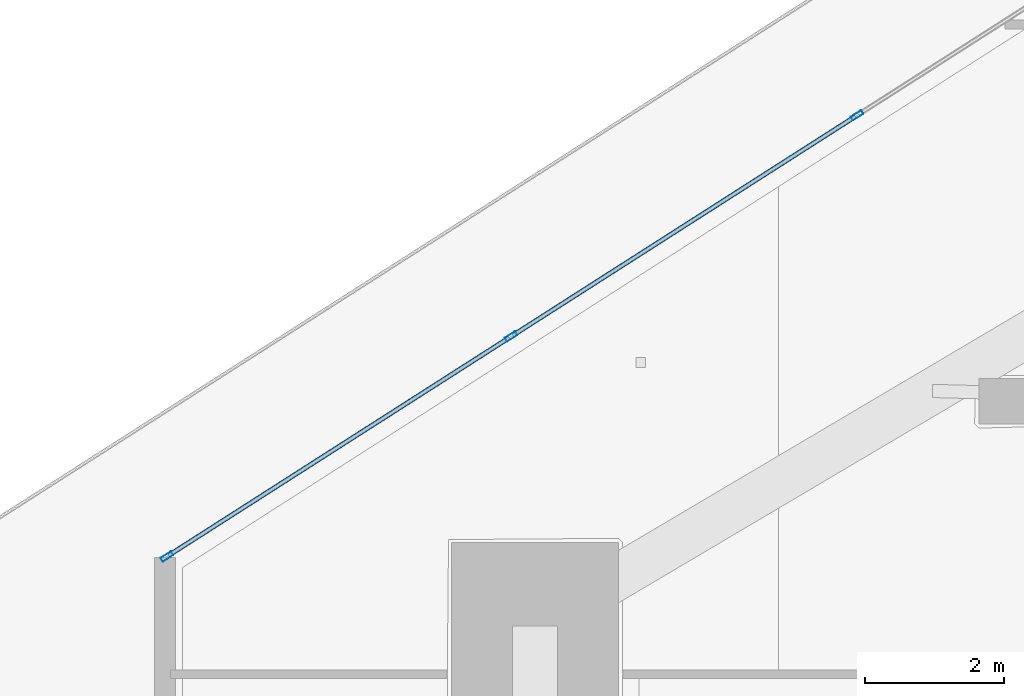
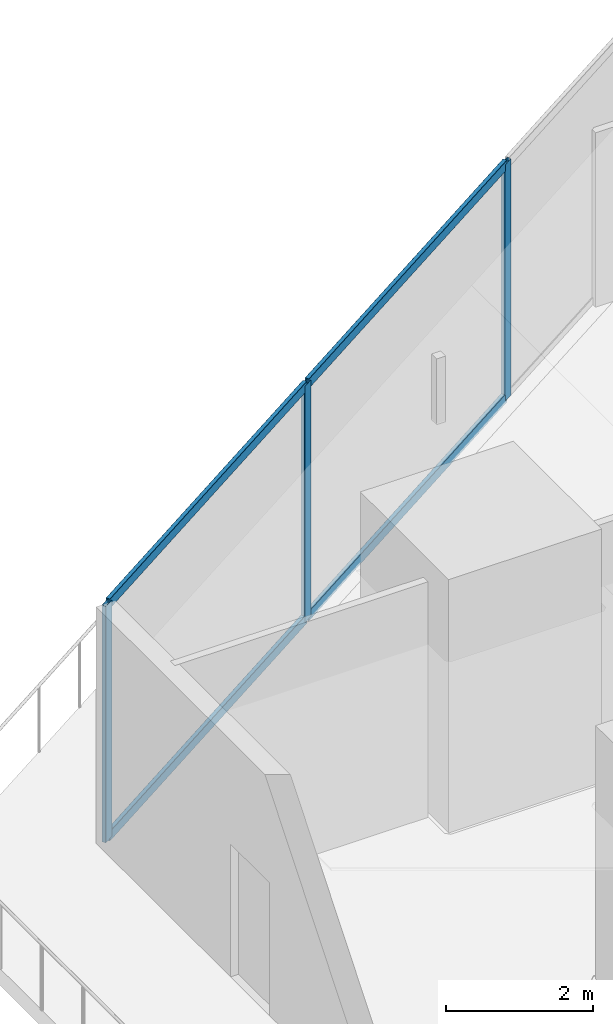
# One storey, part 12 of 44: 7 members, 1 element without a shape of its own.
"""IFC4 building model written with IfcOpenShell, lengths in metres."""

from ifc_helpers import new_model, si_unit, direction, frame, origin, origin_2d, place, context, subcontext, project, spatial, hollow_rectangle, extrude, material, layer, layer_set, material_profile, profile_set, type_object, element, aggregate, save


model = new_model("IFC4")

# Units and contexts
model_context = context("Model", 3, precision=1e-05, world=origin(), true_north=direction((0.0, 1.0)))
body_context = subcontext(model_context, "Body", "Model", "MODEL_VIEW")
ifc_project = project(units=[si_unit("LENGTHUNIT", "METRE"), si_unit("AREAUNIT", "SQUARE_METRE"), si_unit("VOLUMEUNIT", "CUBIC_METRE"), si_unit("PLANEANGLEUNIT", "RADIAN"), si_unit("MASSUNIT", "GRAM", prefix="KILO")], contexts=[model_context])

# Site, building, storey
site_placement = place(None, origin())
site = spatial("IfcSite", under=ifc_project, at=site_placement, CompositionType="ELEMENT")
building_placement = place(site_placement, origin())
building = spatial("IfcBuilding", under=site, at=building_placement, Name="Qorvath Tower", CompositionType="ELEMENT")
storey_placement = place(building_placement, frame((0.0, 0.0, 53.39990234375)))
storey = spatial("IfcBuildingStorey", under=building, at=storey_placement, Name="L11", CompositionType="ELEMENT", Elevation=53.39990234375)

# Curtain wall, members
ifc_material_1 = material(Name="Anodised aluminium and triple low-E glass", Category="aluminium")
ifc_layer = layer(ifc_material_1, 0.179931640625)
ifc_layer_set = layer_set([ifc_layer], Name="CW-SYS-2")
curtain_wall_type = type_object("IfcCurtainWallType", Name="CW-SYS-2", PredefinedType="NOTDEFINED", material=ifc_layer_set)
curtain_wall_placement = place(storey_placement, origin())
curtain_wall = element("IfcCurtainWall", 1, at=curtain_wall_placement, inside=storey, type_object=curtain_wall_type, Name="Curtain Wall CW-2 CW-T-L11-16.3", PredefinedType="NOTDEFINED")
ifc_material_2 = material(Name="Anodised aluminium 6063-T6", Category="aluminium")
ifc_material_profile_1 = material_profile(ifc_material_2, hollow_rectangle(XDim=0.06494140625, YDim=0.179931640625, WallThickness=0.00341796875, InnerFilletRadius=0.00341796875, OuterFilletRadius=0.007080078125, at=origin_2d()), Name="CWM 180x65")
ifc_profile_set_1 = profile_set([ifc_material_profile_1], Name="Anodised aluminium 6063-T6")
member_type_1 = type_object("IfcMemberType", Name="CWM-180", PredefinedType="MULLION", material=ifc_profile_set_1)
member_1_placement = place(storey_placement, frame((-50.65185546875, 10.534912109375, 0.0), z_axis=(0.0, 0.0, 1.0), x_axis=(0.538531853978, -0.842605152044, 0.0)))
member_1 = element("IfcMember", 2, at=member_1_placement, type_object=member_type_1, Name="CW-2 mullion 3", PredefinedType="MULLION", context=body_context, shape_type="SweptSolid", body=[
    extrude(hollow_rectangle(XDim=0.06494140625, YDim=0.179931640625, WallThickness=0.00341796875, InnerFilletRadius=0.00341796875, OuterFilletRadius=0.007080078125, at=origin_2d()), origin(), (0.0, 0.0, 1.0), 3.920166015625),
])
member_2_placement = place(storey_placement, frame((-55.62646484375, 7.35546875, 0.0), z_axis=(0.0, 0.0, 1.0), x_axis=(0.538531853978, -0.842605152044, 0.0)))
member_2 = element("IfcMember", 3, at=member_2_placement, type_object=member_type_1, Name="CW-2 mullion 4", PredefinedType="MULLION", context=body_context, shape_type="SweptSolid", body=[
    extrude(hollow_rectangle(XDim=0.06494140625, YDim=0.179931640625, WallThickness=0.00341796875, InnerFilletRadius=0.00341796875, OuterFilletRadius=0.007080078125, at=origin_2d()), origin(), (0.0, 0.0, 1.0), 3.920166015625),
])
member_3_placement = place(storey_placement, frame((-60.57373046875, 4.193603515625, 0.0), z_axis=(0.0, 0.0, 1.0), x_axis=(0.538531853978, -0.842605152044, 0.0)))
member_3 = element("IfcMember", 4, at=member_3_placement, type_object=member_type_1, Name="CW-2 mullion 5", PredefinedType="MULLION", context=body_context, shape_type="SweptSolid", body=[
    extrude(hollow_rectangle(XDim=0.06494140625, YDim=0.179931640625, WallThickness=0.00341796875, InnerFilletRadius=0.00341796875, OuterFilletRadius=0.007080078125, at=origin_2d()), origin(), (0.0, 0.0, 1.0), 3.920166015625),
])
ifc_material_3 = material(Name="Anodised aluminium 6063-T6", Category="aluminium")
ifc_material_profile_2 = material_profile(ifc_material_3, hollow_rectangle(XDim=0.06494140625, YDim=0.159912109375, WallThickness=0.00341796875, InnerFilletRadius=0.00341796875, OuterFilletRadius=0.007080078125, at=origin_2d()), Name="CWT 160x65")
ifc_profile_set_2 = profile_set([ifc_material_profile_2], Name="Anodised aluminium 6063-T6")
member_type_2 = type_object("IfcMemberType", Name="CWT-160", PredefinedType="USERDEFINED", material=ifc_profile_set_2)
member_4_placement = place(storey_placement, frame((-50.67919921875, 10.517333984375, 0.032470703125), z_axis=(-0.842618260885, -0.538511342891, 0.0), x_axis=(0.538511342891, -0.842618260885, 0.0)))
member_4 = element("IfcMember", 5, at=member_4_placement, type_object=member_type_2, Name="CW-2 transom 3.1", ObjectType="TRANSOM", PredefinedType="USERDEFINED", context=body_context, shape_type="SweptSolid", body=[
    extrude(hollow_rectangle(XDim=0.06494140625, YDim=0.159912109375, WallThickness=0.00341796875, InnerFilletRadius=0.00341796875, OuterFilletRadius=0.007080078125, at=origin_2d()), origin(), (0.0, 0.0, 1.0), 5.8388671875),
])
member_5_placement = place(storey_placement, frame((-50.67919921875, 10.517333984375, 3.8876953125), z_axis=(-0.842618260885, -0.538511342891, 0.0), x_axis=(0.538511342891, -0.842618260885, 0.0)))
member_5 = element("IfcMember", 6, at=member_5_placement, type_object=member_type_2, Name="CW-2 transom 3.2", ObjectType="TRANSOM", PredefinedType="USERDEFINED", context=body_context, shape_type="SweptSolid", body=[
    extrude(hollow_rectangle(XDim=0.06494140625, YDim=0.159912109375, WallThickness=0.00341796875, InnerFilletRadius=0.00341796875, OuterFilletRadius=0.007080078125, at=origin_2d()), origin(), (0.0, 0.0, 1.0), 5.8388671875),
])
member_6_placement = place(storey_placement, frame((-55.65380859375, 7.337890625, 0.032470703125), z_axis=(-0.842607225398, -0.538528609925, 0.0), x_axis=(0.538528609925, -0.842607225398, 0.0)))
member_6 = element("IfcMember", 7, at=member_6_placement, type_object=member_type_2, Name="CW-2 transom 4.1", ObjectType="TRANSOM", PredefinedType="USERDEFINED", context=body_context, shape_type="SweptSolid", body=[
    extrude(hollow_rectangle(XDim=0.06494140625, YDim=0.159912109375, WallThickness=0.00341796875, InnerFilletRadius=0.00341796875, OuterFilletRadius=0.007080078125, at=origin_2d()), origin(), (0.0, 0.0, 1.0), 5.806396484375),
])
member_7_placement = place(storey_placement, frame((-55.65380859375, 7.337890625, 3.8876953125), z_axis=(-0.842607225398, -0.538528609925, 0.0), x_axis=(0.538528609925, -0.842607225398, 0.0)))
member_7 = element("IfcMember", 8, at=member_7_placement, type_object=member_type_2, Name="CW-2 transom 4.2", ObjectType="TRANSOM", PredefinedType="USERDEFINED", context=body_context, shape_type="SweptSolid", body=[
    extrude(hollow_rectangle(XDim=0.06494140625, YDim=0.159912109375, WallThickness=0.00341796875, InnerFilletRadius=0.00341796875, OuterFilletRadius=0.007080078125, at=origin_2d()), origin(), (0.0, 0.0, 1.0), 5.806396484375),
])
aggregate(curtain_wall, [member_1, member_2, member_3, member_4, member_5, member_6, member_7])

save(model, "model.ifc")
